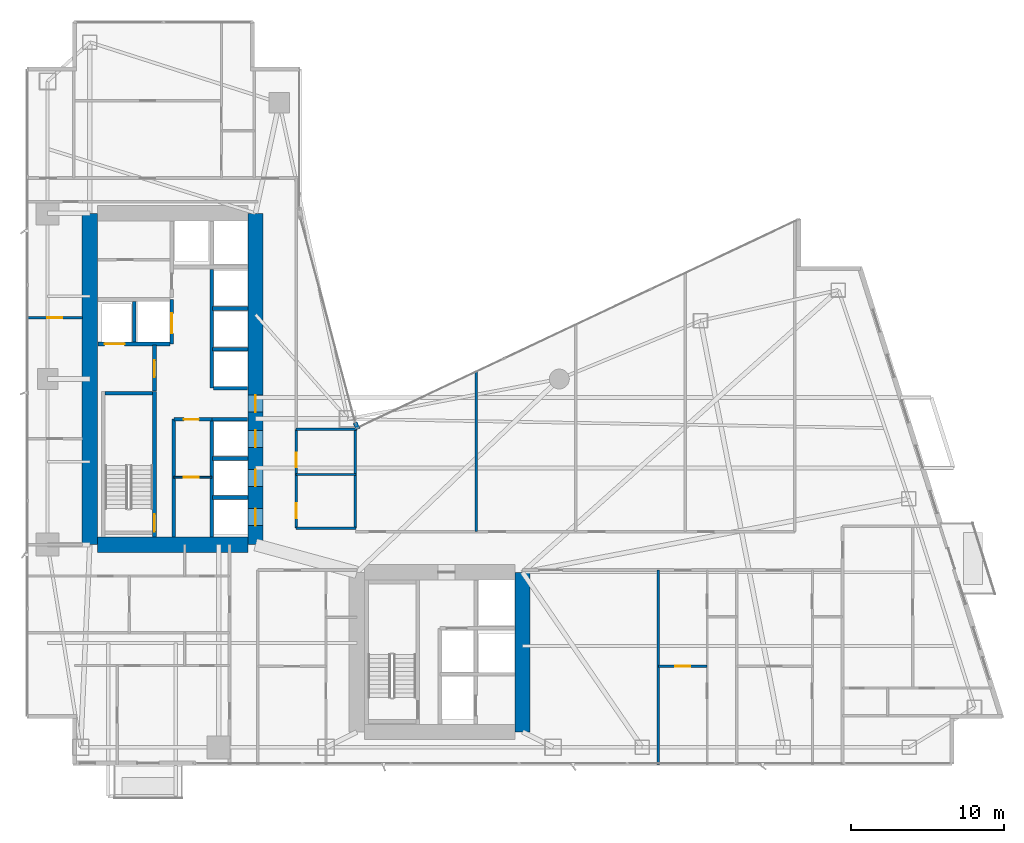
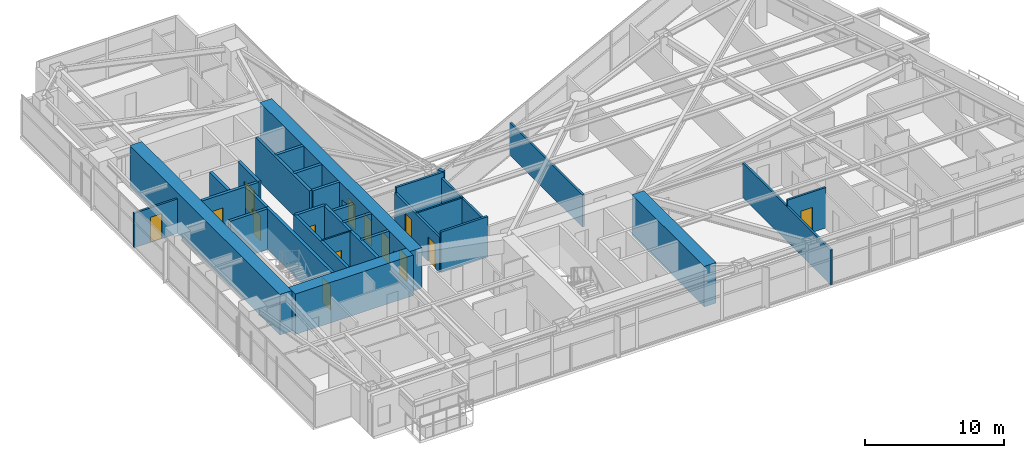
# One storey, part 23 of 29: 31 walls, 14 doors, 14 openings.
"""IFC4 building model written with IfcOpenShell, lengths in metres."""

from ifc_helpers import new_model, si_unit, direction, frame, frame_2d, origin, place, context, subcontext, project, spatial, rectangle, extrude, material, layer, layer_set, type_object, element, fill, save


model = new_model("IFC4")

# Units and contexts
model_context = context("Model", 3, precision=1e-05, world=origin(), true_north=direction((0.0, 1.0)))
body_context = subcontext(model_context, "Body", "Model", "MODEL_VIEW")
ifc_project = project(units=[si_unit("LENGTHUNIT", "METRE"), si_unit("AREAUNIT", "SQUARE_METRE"), si_unit("VOLUMEUNIT", "CUBIC_METRE"), si_unit("PLANEANGLEUNIT", "RADIAN"), si_unit("MASSUNIT", "GRAM", prefix="KILO")], contexts=[model_context])

# Site, building, storey
site_placement = place(None, origin())
site = spatial("IfcSite", under=ifc_project, at=site_placement, CompositionType="ELEMENT")
building_placement = place(site_placement, origin())
building = spatial("IfcBuilding", under=site, at=building_placement, Name="Calvorn Quay Hotel", CompositionType="ELEMENT")
storey_placement = place(building_placement, frame((0.0, 0.0, 85.0)))
storey = spatial("IfcBuildingStorey", under=building, at=storey_placement, Name="L20", CompositionType="ELEMENT", Elevation=85.0)

# Wall
ifc_material_1 = material(Name="Concrete C60", Category="concrete")
ifc_layer_1 = layer(ifc_material_1, 1.0)
ifc_layer_set_1 = layer_set([ifc_layer_1], Name="WL-CORE-1000")
wall_type_1 = type_object("IfcWallType", Name="WL-CORE-1000", PredefinedType="SHEAR", material=ifc_layer_set_1)
wall_1_placement = place(storey_placement, frame((4.199951171875, 16.800048828125, 0.0), z_axis=(0.0, 0.0, 1.0), x_axis=(0.0, 1.0, 0.0)))
element("IfcWall", 1, at=wall_1_placement, inside=storey, type_object=wall_type_1, Name="West Core Shear Wall W (L20)", PredefinedType="SHEAR", context=body_context, shape_type="SweptSolid", body=[
    extrude(rectangle(XDim=21.599853515625, YDim=1.0, at=frame_2d((10.7998046875, 0.0))), origin(), (0.0, 0.0, 1.0), 3.56005859375),
])

# Wall, openings, doors
wall_2_placement = place(storey_placement, frame((15.0, 16.800048828125, 0.0), z_axis=(0.0, 0.0, 1.0), x_axis=(0.0, 1.0, 0.0)))
wall_2 = element("IfcWall", 2, at=wall_2_placement, inside=storey, type_object=wall_type_1, Name="West Core Shear Wall E (L20)", PredefinedType="SHEAR", context=body_context, shape_type="SweptSolid", body=[
    extrude(rectangle(XDim=21.599853515625, YDim=1.0, at=frame_2d((10.7998046875, 0.0))), origin(), (0.0, 0.0, 1.0), 3.56005859375),
])
opening_1_placement = place(wall_2_placement, frame((8.64990234375, 0.0, 0.0)))
opening_1 = element("IfcOpeningElement", 3, at=opening_1_placement, cuts=wall_2, Name="Opening D-L20-CW1", PredefinedType="OPENING", context=body_context, shape_type="SweptSolid", body=[
    extrude(rectangle(XDim=1.10009765625, YDim=2.199951171875, at=frame_2d((0.550048828125, 1.10009765625))), frame((0.0, 0.510009765625, 0.0), z_axis=(0.0, -1.0, 0.0), x_axis=(1.0, 0.0, 0.0)), (0.0, 0.0, 1.0), 1.02001953125),
])
opening_2_placement = place(wall_2_placement, frame((1.25, 0.0, 0.0)))
opening_2 = element("IfcOpeningElement", 4, at=opening_2_placement, cuts=wall_2, Name="Opening LD-L20-L1", PredefinedType="OPENING", context=body_context, shape_type="SweptSolid", body=[
    extrude(rectangle(XDim=1.10009765625, YDim=2.199951171875, at=frame_2d((0.550048828125, 1.10009765625))), frame((0.0, 0.510009765625, 0.0), z_axis=(0.0, -1.0, 0.0), x_axis=(1.0, 0.0, 0.0)), (0.0, 0.0, 1.0), 1.02001953125),
])
opening_3_placement = place(wall_2_placement, frame((3.800048828125, 0.0, 0.0)))
opening_3 = element("IfcOpeningElement", 5, at=opening_3_placement, cuts=wall_2, Name="Opening LD-L20-L2", PredefinedType="OPENING", context=body_context, shape_type="SweptSolid", body=[
    extrude(rectangle(XDim=1.10009765625, YDim=2.199951171875, at=frame_2d((0.550048828125, 1.10009765625))), frame((0.0, 0.510009765625, 0.0), z_axis=(0.0, -1.0, 0.0), x_axis=(1.0, 0.0, 0.0)), (0.0, 0.0, 1.0), 1.02001953125),
])
opening_4_placement = place(wall_2_placement, frame((6.35009765625, 0.0, 0.0)))
opening_4 = element("IfcOpeningElement", 6, at=opening_4_placement, cuts=wall_2, Name="Opening LD-L20-L3", PredefinedType="OPENING", context=body_context, shape_type="SweptSolid", body=[
    extrude(rectangle(XDim=1.10009765625, YDim=2.199951171875, at=frame_2d((0.550048828125, 1.10009765625))), frame((0.0, 0.510009765625, 0.0), z_axis=(0.0, -1.0, 0.0), x_axis=(1.0, 0.0, 0.0)), (0.0, 0.0, 1.0), 1.02001953125),
])
ifc_material_2 = material(Name="Smoke-Sealed Steel Class A Fire Door", Category="steel")
door_type_1 = type_object("IfcDoorType", Name="DR-FFLOBBY-1100", OperationType="NOTDEFINED", PredefinedType="DOOR", material=ifc_material_2)
door_1_placement = place(opening_1_placement, origin())
door_1 = element("IfcDoor", 7, at=door_1_placement, inside=storey, type_object=door_type_1, Name="West Core Vestibule Fire Door (L20)", OperationType="SINGLE_SWING_LEFT", OverallHeight=2.199951171875, OverallWidth=1.10009765625, PredefinedType="DOOR", context=body_context, shape_type="SweptSolid", body=[
    extrude(rectangle(XDim=1.10009765625, YDim=2.199951171875, at=frame_2d((0.550048828125, 1.10009765625))), frame((0.0, 0.02490234375, 0.0), z_axis=(0.0, -1.0, 0.0), x_axis=(1.0, 0.0, 0.0)), (0.0, 0.0, 1.0), 0.050048828125),
])
fill(opening_1, door_1)
ifc_material_3 = material(Name="Brushed Stainless Steel Sliding Lift Landing Door", Category="steel")
door_type_2 = type_object("IfcDoorType", Name="DR-LIFT-PASS-1100", OperationType="NOTDEFINED", PredefinedType="DOOR", material=ifc_material_3)
door_2_placement = place(opening_2_placement, origin())
door_2 = element("IfcDoor", 8, at=door_2_placement, inside=storey, type_object=door_type_2, Name="Low-Rise Lift PL-L1 Landing Door (L20)", OperationType="DOUBLE_DOOR_SLIDING", OverallHeight=2.199951171875, OverallWidth=1.10009765625, PredefinedType="DOOR", context=body_context, shape_type="SweptSolid", body=[
    extrude(rectangle(XDim=1.10009765625, YDim=2.199951171875, at=frame_2d((0.550048828125, 1.10009765625))), frame((0.0, 0.02490234375, 0.0), z_axis=(0.0, -1.0, 0.0), x_axis=(1.0, 0.0, 0.0)), (0.0, 0.0, 1.0), 0.050048828125),
])
fill(opening_2, door_2)
door_3_placement = place(opening_3_placement, origin())
door_3 = element("IfcDoor", 9, at=door_3_placement, inside=storey, type_object=door_type_2, Name="Low-Rise Lift PL-L2 Landing Door (L20)", OperationType="DOUBLE_DOOR_SLIDING", OverallHeight=2.199951171875, OverallWidth=1.10009765625, PredefinedType="DOOR", context=body_context, shape_type="SweptSolid", body=[
    extrude(rectangle(XDim=1.10009765625, YDim=2.199951171875, at=frame_2d((0.550048828125, 1.10009765625))), frame((0.0, 0.02490234375, 0.0), z_axis=(0.0, -1.0, 0.0), x_axis=(1.0, 0.0, 0.0)), (0.0, 0.0, 1.0), 0.050048828125),
])
fill(opening_3, door_3)
door_4_placement = place(opening_4_placement, origin())
door_4 = element("IfcDoor", 10, at=door_4_placement, inside=storey, type_object=door_type_2, Name="Low-Rise Lift PL-L3 Landing Door (L20)", OperationType="DOUBLE_DOOR_SLIDING", OverallHeight=2.199951171875, OverallWidth=1.10009765625, PredefinedType="DOOR", context=body_context, shape_type="SweptSolid", body=[
    extrude(rectangle(XDim=1.10009765625, YDim=2.199951171875, at=frame_2d((0.550048828125, 1.10009765625))), frame((0.0, 0.02490234375, 0.0), z_axis=(0.0, -1.0, 0.0), x_axis=(1.0, 0.0, 0.0)), (0.0, 0.0, 1.0), 0.050048828125),
])
fill(opening_4, door_4)

# Walls
wall_3_placement = place(storey_placement, frame((4.699951171875, 16.800048828125, 0.0), z_axis=(0.0, 0.0, 1.0), x_axis=(1.0, 0.0, 0.0)))
element("IfcWall", 11, at=wall_3_placement, inside=storey, type_object=wall_type_1, Name="West Core Shear Wall S (L20)", PredefinedType="SHEAR", context=body_context, shape_type="SweptSolid", body=[
    extrude(rectangle(XDim=9.800048828125, YDim=1.0, at=frame_2d((4.89990234375, 0.0))), origin(), (0.0, 0.0, 1.0), 3.56005859375),
])
wall_4_placement = place(storey_placement, frame((32.39990234375, 4.60009765625, 0.0), z_axis=(0.0, 0.0, 1.0), x_axis=(0.0, 1.0, 0.0)))
element("IfcWall", 12, at=wall_4_placement, inside=storey, type_object=wall_type_1, Name="East Core Shear Wall E (L20)", PredefinedType="SHEAR", context=body_context, shape_type="SweptSolid", body=[
    extrude(rectangle(XDim=10.39990234375, YDim=1.0, at=frame_2d((5.199951171875, 0.0))), origin(), (0.0, 0.0, 1.0), 3.56005859375),
])
ifc_material_4 = material(Name="Acoustic Fireboard Steel-Stud Partition", Category="steel")
ifc_layer_2 = layer(ifc_material_4, 0.179931640625)
ifc_layer_set_2 = layer_set([ifc_layer_2], Name="WL-CORR-FIRE-180")
wall_type_2 = type_object("IfcWallType", Name="WL-CORR-FIRE-180", PredefinedType="PARTITIONING", material=ifc_layer_set_2)
wall_5_placement = place(storey_placement, frame((17.64990234375, 17.8798828125, 0.0), z_axis=(0.0, 0.0, 1.0), x_axis=(1.0, 0.0, 0.0)))
element("IfcWall", 13, at=wall_5_placement, inside=storey, type_object=wall_type_2, Name="Partition Wall L20-WL-HK-S", PredefinedType="PARTITIONING", context=body_context, shape_type="SweptSolid", body=[
    extrude(rectangle(XDim=3.900146484375, YDim=0.179931640625, at=frame_2d((1.9501953125, 0.0))), origin(), (0.0, 0.0, 1.0), 3.56005859375),
])
wall_6_placement = place(storey_placement, frame((17.64990234375, 24.320068359375, 0.0), z_axis=(0.0, 0.0, 1.0), x_axis=(1.0, 0.0, 0.0)))
element("IfcWall", 14, at=wall_6_placement, inside=storey, type_object=wall_type_2, Name="Partition Wall L20-WL-HK-N", PredefinedType="PARTITIONING", context=body_context, shape_type="SweptSolid", body=[
    extrude(rectangle(XDim=3.9501953125, YDim=0.179931640625, at=frame_2d((1.97509765625, 0.0))), origin(), (0.0, 0.0, 1.0), 3.56005859375),
])
wall_7_placement = place(storey_placement, frame((21.5, 17.8798828125, 0.0), z_axis=(0.0, 0.0, 1.0), x_axis=(0.0, 1.0, 0.0)))
element("IfcWall", 15, at=wall_7_placement, inside=storey, type_object=wall_type_2, Name="Partition Wall L20-WL-HK-E", PredefinedType="PARTITIONING", context=body_context, shape_type="SweptSolid", body=[
    extrude(rectangle(XDim=6.440185546875, YDim=0.179931640625, at=frame_2d((3.22021484375, 0.0))), origin(), (0.0, 0.0, 1.0), 3.090087890625),
])

# Wall, openings, doors
wall_8_placement = place(storey_placement, frame((17.64990234375, 17.8798828125, 0.0), z_axis=(0.0, 0.0, 1.0), x_axis=(0.0, 1.0, 0.0)))
wall_8 = element("IfcWall", 16, at=wall_8_placement, inside=storey, type_object=wall_type_2, Name="Partition Wall L20-WL-HK-W", PredefinedType="PARTITIONING", context=body_context, shape_type="SweptSolid", body=[
    extrude(rectangle(XDim=6.440185546875, YDim=0.179931640625, at=frame_2d((3.22021484375, 0.0))), origin(), (0.0, 0.0, 1.0), 3.090087890625),
])
opening_5_placement = place(wall_8_placement, frame((0.64990234375, 0.0, 0.0)))
opening_5 = element("IfcOpeningElement", 17, at=opening_5_placement, cuts=wall_8, Name="Opening D-L20-HK", PredefinedType="OPENING", context=body_context, shape_type="SweptSolid", body=[
    extrude(rectangle(XDim=0.97998046875, YDim=2.14990234375, at=frame_2d((0.489990234375, 1.074951171875))), frame((0.0, 0.099853515625, 0.0), z_axis=(0.0, -1.0, 0.0), x_axis=(1.0, 0.0, 0.0)), (0.0, 0.0, 1.0), 0.199951171875),
])
opening_6_placement = place(wall_8_placement, frame((3.969970703125, 0.0, 0.0)))
opening_6 = element("IfcOpeningElement", 18, at=opening_6_placement, cuts=wall_8, Name="Opening D-L20-NCP", PredefinedType="OPENING", context=body_context, shape_type="SweptSolid", body=[
    extrude(rectangle(XDim=0.9599609375, YDim=2.199951171875, at=frame_2d((0.47998046875, 1.10009765625))), frame((0.0, 0.099853515625, 0.0), z_axis=(0.0, -1.0, 0.0), x_axis=(1.0, 0.0, 0.0)), (0.0, 0.0, 1.0), 0.199951171875),
])
ifc_material_5 = material(Name="Painted Steel Housekeeping/Riser Fire Door", Category="steel")
door_type_3 = type_object("IfcDoorType", Name="DR-SERVICE-980", OperationType="NOTDEFINED", PredefinedType="DOOR", material=ifc_material_5)
door_5_placement = place(opening_5_placement, origin())
door_5 = element("IfcDoor", 19, at=door_5_placement, inside=storey, type_object=door_type_3, Name="Floor Housekeeping Door (L20)", OperationType="SINGLE_SWING_LEFT", OverallHeight=2.14990234375, OverallWidth=0.97998046875, PredefinedType="DOOR", context=body_context, shape_type="SweptSolid", body=[
    extrude(rectangle(XDim=0.97998046875, YDim=2.14990234375, at=frame_2d((0.489990234375, 1.074951171875))), frame((0.0, 0.02490234375, 0.0), z_axis=(0.0, -1.0, 0.0), x_axis=(1.0, 0.0, 0.0)), (0.0, 0.0, 1.0), 0.050048828125),
])
fill(opening_5, door_5)
ifc_material_6 = material(Name="Solid Timber Internal Suite Door", Category="wood")
door_type_4 = type_object("IfcDoorType", Name="DR-SUITE-INT-960", OperationType="NOTDEFINED", PredefinedType="DOOR", material=ifc_material_6)
door_6_placement = place(opening_6_placement, origin())
door_6 = element("IfcDoor", 20, at=door_6_placement, inside=storey, type_object=door_type_4, Name="Reading Alcove Door (L20)", OperationType="SINGLE_SWING_RIGHT", OverallHeight=2.199951171875, OverallWidth=0.9599609375, PredefinedType="DOOR", context=body_context, shape_type="SweptSolid", body=[
    extrude(rectangle(XDim=0.9599609375, YDim=2.199951171875, at=frame_2d((0.47998046875, 1.10009765625))), frame((0.0, 0.02490234375, 0.0), z_axis=(0.0, -1.0, 0.0), x_axis=(1.0, 0.0, 0.0)), (0.0, 0.0, 1.0), 0.050048828125),
])
fill(opening_6, door_6)

# Wall, opening, door
ifc_material_7 = material(Name="Moisture-Resistant Tile-Backed Partition")
ifc_layer_3 = layer(ifc_material_7, 0.125)
ifc_layer_set_3 = layer_set([ifc_layer_3], Name="WL-ENSUITE-125")
wall_type_3 = type_object("IfcWallType", Name="WL-ENSUITE-125", PredefinedType="PARTITIONING", material=ifc_layer_set_3)
wall_9_placement = place(storey_placement, frame((9.679931640625, 21.199951171875, 0.0), z_axis=(0.0, 0.0, 1.0), x_axis=(1.0, 0.0, 0.0)))
wall_9 = element("IfcWall", 21, at=wall_9_placement, inside=storey, type_object=wall_type_3, Name="Partition Wall L20-WL-CWW-SER-M", PredefinedType="PARTITIONING", context=body_context, shape_type="SweptSolid", body=[
    extrude(rectangle(XDim=2.469970703125, YDim=0.125, at=frame_2d((1.23486328125, 0.0))), origin(), (0.0, 0.0, 1.0), 3.56005859375),
])
opening_7_placement = place(wall_9_placement, frame((0.64990234375, 0.0, 0.0)))
opening_7 = element("IfcOpeningElement", 22, at=opening_7_placement, cuts=wall_9, Name="Opening D-L20-CSM", PredefinedType="OPENING", context=body_context, shape_type="SweptSolid", body=[
    extrude(rectangle(XDim=0.97998046875, YDim=2.14990234375, at=frame_2d((0.489990234375, 1.074951171875))), frame((0.0, 0.072509765625, 0.0), z_axis=(0.0, -1.0, 0.0), x_axis=(1.0, 0.0, 0.0)), (0.0, 0.0, 1.0), 0.14501953125),
])
door_7_placement = place(opening_7_placement, origin())
door_7 = element("IfcDoor", 23, at=door_7_placement, inside=storey, type_object=door_type_3, Name="Core Valet Pantry Door (L20)", OperationType="SINGLE_SWING_LEFT", OverallHeight=2.14990234375, OverallWidth=0.97998046875, PredefinedType="DOOR", context=body_context, shape_type="SweptSolid", body=[
    extrude(rectangle(XDim=0.97998046875, YDim=2.14990234375, at=frame_2d((0.489990234375, 1.074951171875))), frame((0.0, 0.02490234375, 0.0), z_axis=(0.0, -1.0, 0.0), x_axis=(1.0, 0.0, 0.0)), (0.0, 0.0, 1.0), 0.050048828125),
])
fill(opening_7, door_7)

# Walls
wall_10_placement = place(storey_placement, frame((17.64990234375, 21.3798828125, 0.0), z_axis=(0.0, 0.0, 1.0), x_axis=(1.0, 0.0, 0.0)))
element("IfcWall", 24, at=wall_10_placement, inside=storey, type_object=wall_type_3, Name="Partition Wall L20-WL-HK-M", PredefinedType="PARTITIONING", context=body_context, shape_type="SweptSolid", body=[
    extrude(rectangle(XDim=3.900146484375, YDim=0.125, at=frame_2d((1.9501953125, 0.0))), origin(), (0.0, 0.0, 1.0), 3.090087890625),
])
ifc_material_8 = material(Name="Concrete C40", Category="concrete")
ifc_layer_4 = layer(ifc_material_8, 0.320068359375)
ifc_layer_set_4 = layer_set([ifc_layer_4], Name="WL-EXT-SPANDREL-320")
wall_type_4 = type_object("IfcWallType", Name="WL-EXT-SPANDREL-320", PredefinedType="SOLIDWALL", material=ifc_layer_set_4)
wall_11_placement = place(storey_placement, frame((21.679931640625, 24.340087890625, 0.0), z_axis=(0.0, 0.0, 1.0), x_axis=(-0.40758134973, 0.913168901875, 0.0)))
element("IfcWall", 25, at=wall_11_placement, inside=storey, type_object=wall_type_4, Name="Inner Court Corner Pier L20-ICJ1", PredefinedType="SOLIDWALL", context=body_context, shape_type="SweptSolid", body=[
    extrude(rectangle(XDim=0.470703125, YDim=0.280029296875, at=frame_2d((0.2353515625, 0.0))), origin(), (0.0, 0.0, 1.0), 3.56005859375),
])

# Wall, opening, door
ifc_material_9 = material(Name="Double-Stud Acoustic Gypsum Partition")
ifc_layer_5 = layer(ifc_material_9, 0.159912109375)
ifc_layer_set_5 = layer_set([ifc_layer_5], Name="WL-INTERSUITE-160")
wall_type_5 = type_object("IfcWallType", Name="WL-INTERSUITE-160", PredefinedType="PARTITIONING", material=ifc_layer_set_5)
wall_12_placement = place(storey_placement, frame((0.080078125, 31.60009765625, 0.0), z_axis=(0.0, 0.0, 1.0), x_axis=(1.0, 0.0, 0.0)))
wall_12 = element("IfcWall", 26, at=wall_12_placement, inside=storey, type_object=wall_type_5, Name="Partition Wall L20-WL-WBAY-DIVB", PredefinedType="PARTITIONING", context=body_context, shape_type="SweptSolid", body=[
    extrude(rectangle(XDim=3.64990234375, YDim=0.159912109375, at=frame_2d((1.824951171875, 0.0))), origin(), (0.0, 0.0, 1.0), 3.0400390625),
])
opening_8_placement = place(wall_12_placement, frame((1.35009765625, 0.0, 0.0)))
opening_8 = element("IfcOpeningElement", 27, at=opening_8_placement, cuts=wall_12, Name="Opening D-L20-WBB", PredefinedType="OPENING", context=body_context, shape_type="SweptSolid", body=[
    extrude(rectangle(XDim=0.9599609375, YDim=2.199951171875, at=frame_2d((0.47998046875, 1.10009765625))), frame((0.0, 0.08984375, 0.0), z_axis=(0.0, -1.0, 0.0), x_axis=(1.0, 0.0, 0.0)), (0.0, 0.0, 1.0), 0.179931640625),
])
door_8_placement = place(opening_8_placement, origin())
door_8 = element("IfcDoor", 28, at=door_8_placement, inside=storey, type_object=door_type_4, Name="West North Connecting Door (L20)", OperationType="SINGLE_SWING_RIGHT", OverallHeight=2.199951171875, OverallWidth=0.9599609375, PredefinedType="DOOR", context=body_context, shape_type="SweptSolid", body=[
    extrude(rectangle(XDim=0.9599609375, YDim=2.199951171875, at=frame_2d((0.47998046875, 1.10009765625))), frame((0.0, 0.02490234375, 0.0), z_axis=(0.0, -1.0, 0.0), x_axis=(1.0, 0.0, 0.0)), (0.0, 0.0, 1.0), 0.050048828125),
])
fill(opening_8, door_8)

wall_13_placement = place(storey_placement, frame((41.25, 8.8798828125, 0.0), z_axis=(0.0, 0.0, 1.0), x_axis=(1.0, 0.0, 0.0)))
wall_13 = element("IfcWall", 29, at=wall_13_placement, inside=storey, type_object=wall_type_5, Name="Partition Wall L20-WL-U05-MSP", PredefinedType="PARTITIONING", context=body_context, shape_type="SweptSolid", body=[
    extrude(rectangle(XDim=3.18994140625, YDim=0.159912109375, at=frame_2d((1.594970703125, 0.0))), origin(), (0.0, 0.0, 1.0), 3.56005859375),
])
opening_9_placement = place(wall_13_placement, frame((1.110107421875, 0.0, 0.0)))
opening_9 = element("IfcOpeningElement", 30, at=opening_9_placement, cuts=wall_13, Name="Opening D-L20-M05", PredefinedType="OPENING", context=body_context, shape_type="SweptSolid", body=[
    extrude(rectangle(XDim=0.9599609375, YDim=2.199951171875, at=frame_2d((0.47998046875, 1.10009765625))), frame((0.0, 0.08984375, 0.0), z_axis=(0.0, -1.0, 0.0), x_axis=(1.0, 0.0, 0.0)), (0.0, 0.0, 1.0), 0.179931640625),
])
door_9_placement = place(opening_9_placement, origin())
door_9 = element("IfcDoor", 31, at=door_9_placement, inside=storey, type_object=door_type_4, Name="Suite Bedroom Door 05", OperationType="SINGLE_SWING_LEFT", OverallHeight=2.199951171875, OverallWidth=0.9599609375, PredefinedType="DOOR", context=body_context, shape_type="SweptSolid", body=[
    extrude(rectangle(XDim=0.9599609375, YDim=2.199951171875, at=frame_2d((0.47998046875, 1.10009765625))), frame((0.0, 0.02490234375, 0.0), z_axis=(0.0, -1.0, 0.0), x_axis=(1.0, 0.0, 0.0)), (0.0, 0.0, 1.0), 0.050048828125),
])
fill(opening_9, door_9)

# Walls
wall_14_placement = place(storey_placement, frame((41.25, 2.43994140625, 0.0), z_axis=(0.0, 0.0, 1.0), x_axis=(0.0, 1.0, 0.0)))
element("IfcWall", 32, at=wall_14_placement, inside=storey, type_object=wall_type_5, Name="Partition Wall L20-WL-SE-DIV-1", PredefinedType="PARTITIONING", context=body_context, shape_type="SweptSolid", body=[
    extrude(rectangle(XDim=12.7099609375, YDim=0.159912109375, at=frame_2d((6.35498046875, 0.0))), origin(), (0.0, 0.0, 1.0), 3.0400390625),
])
wall_15_placement = place(storey_placement, frame((29.389892578125, 17.64990234375, 0.0), z_axis=(0.0, 0.0, 1.0), x_axis=(0.0, 1.0, 0.0)))
element("IfcWall", 33, at=wall_15_placement, inside=storey, type_object=wall_type_5, Name="Partition Wall L20-WL-NE-DIV-1", PredefinedType="PARTITIONING", context=body_context, shape_type="SweptSolid", body=[
    extrude(rectangle(XDim=10.510009765625, YDim=0.159912109375, at=frame_2d((5.2548828125, 0.0))), origin(), (0.0, 0.0, 1.0), 2.840087890625),
])
ifc_material_10 = material(Name="Autoclaved Aerated Masonry Block", Category="masonry")
ifc_layer_6 = layer(ifc_material_10, 0.219970703125)
ifc_layer_set_6 = layer_set([ifc_layer_6], Name="WL-LOBBY-FIRE-220")
wall_type_6 = type_object("IfcWallType", Name="WL-LOBBY-FIRE-220", PredefinedType="SOLIDWALL", material=ifc_layer_set_6)
wall_16_placement = place(storey_placement, frame((9.679931640625, 17.320068359375, 0.0), z_axis=(0.0, 0.0, 1.0), x_axis=(0.0, 1.0, 0.0)))
element("IfcWall", 34, at=wall_16_placement, inside=storey, type_object=wall_type_6, Name="Partition Wall L20-WL-CWW-STW-HALL-E", PredefinedType="SOLIDWALL", context=body_context, shape_type="SweptSolid", body=[
    extrude(rectangle(XDim=7.679931640625, YDim=0.219970703125, at=frame_2d((3.83984375, 0.0))), origin(), (0.0, 0.0, 1.0), 3.56005859375),
])

# Wall, opening, door
ifc_material_11 = material(Name="Concrete C40", Category="concrete")
ifc_layer_7 = layer(ifc_material_11, 0.239990234375)
ifc_layer_set_7 = layer_set([ifc_layer_7], Name="WL-SHAFT-240")
wall_type_7 = type_object("IfcWallType", Name="WL-SHAFT-240", PredefinedType="SOLIDWALL", material=ifc_layer_set_7)
wall_17_placement = place(storey_placement, frame((8.419921875, 17.300048828125, 0.0), z_axis=(0.0, 0.0, 1.0), x_axis=(0.0, 1.0, 0.0)))
wall_17 = element("IfcWall", 35, at=wall_17_placement, inside=storey, type_object=wall_type_7, Name="Stair STW Shaft Wall E (L20)", PredefinedType="SOLIDWALL", context=body_context, shape_type="SweptSolid", body=[
    extrude(rectangle(XDim=9.489990234375, YDim=0.239990234375, at=frame_2d((4.7451171875, 0.0))), origin(), (0.0, 0.0, 1.0), 3.56005859375),
])
opening_10_placement = place(wall_17_placement, frame((0.35009765625, 0.0, 0.0)))
opening_10 = element("IfcOpeningElement", 36, at=opening_10_placement, cuts=wall_17, Name="Opening D-L20-STW", PredefinedType="OPENING", context=body_context, shape_type="SweptSolid", body=[
    extrude(rectangle(XDim=1.14990234375, YDim=2.199951171875, at=frame_2d((0.574951171875, 1.10009765625))), frame((0.0, 0.1298828125, 0.0), z_axis=(0.0, -1.0, 0.0), x_axis=(1.0, 0.0, 0.0)), (0.0, 0.0, 1.0), 0.260009765625),
])
ifc_material_12 = material(Name="Galvanised Steel Class A Fire Door", Category="steel")
door_type_5 = type_object("IfcDoorType", Name="DR-STAIR-SMOKE-1150", OperationType="NOTDEFINED", PredefinedType="DOOR", material=ifc_material_12)
door_10_placement = place(opening_10_placement, origin())
door_10 = element("IfcDoor", 37, at=door_10_placement, inside=storey, type_object=door_type_5, Name="Stair ST-W Fire Door (L20)", OperationType="SINGLE_SWING_LEFT", OverallHeight=2.199951171875, OverallWidth=1.14990234375, PredefinedType="DOOR", context=body_context, shape_type="SweptSolid", body=[
    extrude(rectangle(XDim=1.14990234375, YDim=2.199951171875, at=frame_2d((0.574951171875, 1.10009765625))), frame((0.0, 0.02490234375, 0.0), z_axis=(0.0, -1.0, 0.0), x_axis=(1.0, 0.0, 0.0)), (0.0, 0.0, 1.0), 0.050048828125),
])
fill(opening_10, door_10)

# Walls
wall_18_placement = place(storey_placement, frame((5.199951171875, 26.669921875, 0.0), z_axis=(0.0, 0.0, 1.0), x_axis=(1.0, 0.0, 0.0)))
element("IfcWall", 38, at=wall_18_placement, inside=storey, type_object=wall_type_7, Name="Stair STW Shaft Wall N (L20)", PredefinedType="SOLIDWALL", context=body_context, shape_type="SweptSolid", body=[
    extrude(rectangle(XDim=3.10009765625, YDim=0.239990234375, at=frame_2d((1.550048828125, 0.0))), origin(), (0.0, 0.0, 1.0), 3.56005859375),
])
for number, where, z_axis, x_axis, name in (
    (39, (12.179931640625, 19.875, 0.0), (0.0, 0.0, 1.0), (1.0, 0.0, 0.0), "Lift Hoistway Divider Wall PLL12 (L20)"),
    (40, (12.179931640625, 22.425048828125, 0.0), (0.0, 0.0, 1.0), (1.0, 0.0, 0.0), "Lift Hoistway Divider Wall PLL23 (L20)"),
    (41, (12.179931640625, 29.550048828125, 0.0), (0.0, 0.0, 1.0), (1.0, 0.0, 0.0), "Lift Hoistway Divider Wall PLM12 (L20)"),
    (42, (12.179931640625, 32.199951171875, 0.0), (0.0, 0.0, 1.0), (1.0, 0.0, 0.0), "Lift Hoistway Divider Wall PLM23 (L20)"),
):
    element("IfcWall", number, at=place(storey_placement, frame(where, z_axis=z_axis, x_axis=x_axis)), inside=storey, type_object=wall_type_7, Name=name, PredefinedType="SOLIDWALL", context=body_context, shape_type="SweptSolid", body=[
        extrude(rectangle(XDim=2.320068359375, YDim=0.239990234375, at=frame_2d((1.16015625, 0.0))), origin(), (0.0, 0.0, 1.0), 3.56005859375),
    ])

# Wall, opening, door
wall_19_placement = place(storey_placement, frame((8.419921875, 26.820068359375, 0.0), z_axis=(0.0, 0.0, 1.0), x_axis=(0.0, 1.0, 0.0)))
wall_19 = element("IfcWall", 43, at=wall_19_placement, inside=storey, type_object=wall_type_7, Name="Partition Wall L20-WL-CWW-FFL-E", PredefinedType="SOLIDWALL", context=body_context, shape_type="SweptSolid", body=[
    extrude(rectangle(XDim=3.0, YDim=0.239990234375, at=frame_2d((1.5, 0.0))), origin(), (0.0, 0.0, 1.0), 3.56005859375),
])
opening_11_placement = place(wall_19_placement, frame((0.89990234375, 0.0, 0.0)))
opening_11 = element("IfcOpeningElement", 44, at=opening_11_placement, cuts=wall_19, Name="Opening D-L20-FLW", PredefinedType="OPENING", context=body_context, shape_type="SweptSolid", body=[
    extrude(rectangle(XDim=1.10009765625, YDim=2.199951171875, at=frame_2d((0.550048828125, 1.10009765625))), frame((0.0, 0.1298828125, 0.0), z_axis=(0.0, -1.0, 0.0), x_axis=(1.0, 0.0, 0.0)), (0.0, 0.0, 1.0), 0.260009765625),
])
door_11_placement = place(opening_11_placement, origin())
door_11 = element("IfcDoor", 45, at=door_11_placement, inside=storey, type_object=door_type_1, Name="West Firefighting Lobby Fire Door (L20)", OperationType="SINGLE_SWING_RIGHT", OverallHeight=2.199951171875, OverallWidth=1.10009765625, PredefinedType="DOOR", context=body_context, shape_type="SweptSolid", body=[
    extrude(rectangle(XDim=1.10009765625, YDim=2.199951171875, at=frame_2d((0.550048828125, 1.10009765625))), frame((0.0, 0.02490234375, 0.0), z_axis=(0.0, -1.0, 0.0), x_axis=(1.0, 0.0, 0.0)), (0.0, 0.0, 1.0), 0.050048828125),
])
fill(opening_11, door_11)

wall_20_placement = place(storey_placement, frame((4.719970703125, 29.8798828125, 0.0), z_axis=(0.0, 0.0, 1.0), x_axis=(1.0, 0.0, 0.0)))
wall_20 = element("IfcWall", 46, at=wall_20_placement, inside=storey, type_object=wall_type_7, Name="Partition Wall L20-WL-CWW-FLW-S", PredefinedType="SOLIDWALL", context=body_context, shape_type="SweptSolid", body=[
    extrude(rectangle(XDim=4.699951171875, YDim=0.239990234375, at=frame_2d((2.35009765625, 0.0))), origin(), (0.0, 0.0, 1.0), 3.56005859375),
])
opening_12_placement = place(wall_20_placement, frame((0.449951171875, 0.0, 0.0)))
opening_12 = element("IfcOpeningElement", 47, at=opening_12_placement, cuts=wall_20, Name="Opening LD-L20-FLW1", PredefinedType="OPENING", context=body_context, shape_type="SweptSolid", body=[
    extrude(rectangle(XDim=1.300048828125, YDim=2.35009765625, at=frame_2d((0.64990234375, 1.175048828125))), frame((0.0, 0.1298828125, 0.0), z_axis=(0.0, -1.0, 0.0), x_axis=(1.0, 0.0, 0.0)), (0.0, 0.0, 1.0), 0.260009765625),
])
ifc_material_13 = material(Name="Champagne-Bronze Sliding Express Lift Landing Door")
door_type_6 = type_object("IfcDoorType", Name="DR-LIFT-SHUTTLE-1300", OperationType="NOTDEFINED", PredefinedType="DOOR", material=ifc_material_13)
door_12_placement = place(opening_12_placement, origin())
door_12 = element("IfcDoor", 48, at=door_12_placement, inside=storey, type_object=door_type_6, Name="Firefighting Lift FL-W1 Landing Door (L20)", OperationType="DOUBLE_DOOR_SLIDING", OverallHeight=2.35009765625, OverallWidth=1.300048828125, PredefinedType="DOOR", context=body_context, shape_type="SweptSolid", body=[
    extrude(rectangle(XDim=1.300048828125, YDim=2.35009765625, at=frame_2d((0.64990234375, 1.175048828125))), frame((0.0, 0.02490234375, 0.0), z_axis=(0.0, -1.0, 0.0), x_axis=(1.0, 0.0, 0.0)), (0.0, 0.0, 1.0), 0.050048828125),
])
fill(opening_12, door_12)

# Wall
wall_21_placement = place(storey_placement, frame((7.10009765625, 30.02001953125, 0.0), z_axis=(0.0, 0.0, 1.0), x_axis=(0.0, 1.0, 0.0)))
element("IfcWall", 49, at=wall_21_placement, inside=storey, type_object=wall_type_7, Name="Partition Wall L20-WL-CWW-FLW-DIV", PredefinedType="SOLIDWALL", context=body_context, shape_type="SweptSolid", body=[
    extrude(rectangle(XDim=2.6298828125, YDim=0.239990234375, at=frame_2d((1.31494140625, 0.0))), origin(), (0.0, 0.0, 1.0), 3.56005859375),
])

# Wall, opening, door
wall_22_placement = place(storey_placement, frame((9.5400390625, 29.8798828125, 0.0), z_axis=(0.0, 0.0, 1.0), x_axis=(0.0, 1.0, 0.0)))
wall_22 = element("IfcWall", 50, at=wall_22_placement, inside=storey, type_object=wall_type_7, Name="Partition Wall L20-WL-CWW-SLW-E", PredefinedType="SOLIDWALL", context=body_context, shape_type="SweptSolid", body=[
    extrude(rectangle(XDim=2.900146484375, YDim=0.239990234375, at=frame_2d((1.4501953125, 0.0))), origin(), (0.0, 0.0, 1.0), 3.56005859375),
])
opening_13_placement = place(wall_22_placement, frame((0.699951171875, 0.0, 0.0)))
opening_13 = element("IfcOpeningElement", 51, at=opening_13_placement, cuts=wall_22, Name="Opening LD-L20-SLW1", PredefinedType="OPENING", context=body_context, shape_type="SweptSolid", body=[
    extrude(rectangle(XDim=1.300048828125, YDim=2.35009765625, at=frame_2d((0.64990234375, 1.175048828125))), frame((0.0, 0.1298828125, 0.0), z_axis=(0.0, -1.0, 0.0), x_axis=(1.0, 0.0, 0.0)), (0.0, 0.0, 1.0), 0.260009765625),
])
door_13_placement = place(opening_13_placement, origin())
door_13 = element("IfcDoor", 52, at=door_13_placement, inside=storey, type_object=door_type_6, Name="Service Lift SL-W1 Landing Door (L20)", OperationType="DOUBLE_DOOR_SLIDING", OverallHeight=2.35009765625, OverallWidth=1.300048828125, PredefinedType="DOOR", context=body_context, shape_type="SweptSolid", body=[
    extrude(rectangle(XDim=1.300048828125, YDim=2.35009765625, at=frame_2d((0.64990234375, 1.175048828125))), frame((0.0, 0.02490234375, 0.0), z_axis=(0.0, -1.0, 0.0), x_axis=(1.0, 0.0, 0.0)), (0.0, 0.0, 1.0), 0.050048828125),
])
fill(opening_13, door_13)

# Wall
wall_23_placement = place(storey_placement, frame((12.14990234375, 17.320068359375, 0.0), z_axis=(0.0, 0.0, 1.0), x_axis=(0.0, 1.0, 0.0)))
element("IfcWall", 53, at=wall_23_placement, inside=storey, type_object=wall_type_7, Name="Partition Wall L20-WL-CWW-PLL-W", PredefinedType="SOLIDWALL", context=body_context, shape_type="SweptSolid", body=[
    extrude(rectangle(XDim=7.64990234375, YDim=0.239990234375, at=frame_2d((3.824951171875, 0.0))), origin(), (0.0, 0.0, 1.0), 3.56005859375),
])

# Wall, opening, door
wall_24_placement = place(storey_placement, frame((9.679931640625, 24.969970703125, 0.0), z_axis=(0.0, 0.0, 1.0), x_axis=(1.0, 0.0, 0.0)))
wall_24 = element("IfcWall", 54, at=wall_24_placement, inside=storey, type_object=wall_type_7, Name="Partition Wall L20-WL-CWW-SER-N", PredefinedType="SOLIDWALL", context=body_context, shape_type="SweptSolid", body=[
    extrude(rectangle(XDim=2.469970703125, YDim=0.239990234375, at=frame_2d((1.23486328125, 0.0))), origin(), (0.0, 0.0, 1.0), 3.56005859375),
])
opening_14_placement = place(wall_24_placement, frame((0.64990234375, 0.0, 0.0)))
opening_14 = element("IfcOpeningElement", 55, at=opening_14_placement, cuts=wall_24, Name="Opening D-L20-CSR", PredefinedType="OPENING", context=body_context, shape_type="SweptSolid", body=[
    extrude(rectangle(XDim=0.97998046875, YDim=2.14990234375, at=frame_2d((0.489990234375, 1.074951171875))), frame((0.0, 0.1298828125, 0.0), z_axis=(0.0, -1.0, 0.0), x_axis=(1.0, 0.0, 0.0)), (0.0, 0.0, 1.0), 0.260009765625),
])
door_14_placement = place(opening_14_placement, origin())
door_14 = element("IfcDoor", 56, at=door_14_placement, inside=storey, type_object=door_type_3, Name="Core Service Closet Door (L20)", OperationType="SINGLE_SWING_LEFT", OverallHeight=2.14990234375, OverallWidth=0.97998046875, PredefinedType="DOOR", context=body_context, shape_type="SweptSolid", body=[
    extrude(rectangle(XDim=0.97998046875, YDim=2.14990234375, at=frame_2d((0.489990234375, 1.074951171875))), frame((0.0, 0.02490234375, 0.0), z_axis=(0.0, -1.0, 0.0), x_axis=(1.0, 0.0, 0.0)), (0.0, 0.0, 1.0), 0.050048828125),
])
fill(opening_14, door_14)

# Walls
wall_25_placement = place(storey_placement, frame((12.14990234375, 24.969970703125, 0.0), z_axis=(0.0, 0.0, 1.0), x_axis=(1.0, 0.0, 0.0)))
element("IfcWall", 57, at=wall_25_placement, inside=storey, type_object=wall_type_7, Name="Partition Wall L20-WL-CWW-PLL-SHN", PredefinedType="SOLIDWALL", context=body_context, shape_type="SweptSolid", body=[
    extrude(rectangle(XDim=2.330078125, YDim=0.239990234375, at=frame_2d((1.1650390625, 0.0))), origin(), (0.0, 0.0, 1.0), 2.840087890625),
])
wall_26_placement = place(storey_placement, frame((12.25, 27.0, 0.0), z_axis=(0.0, 0.0, 1.0), x_axis=(1.0, 0.0, 0.0)))
element("IfcWall", 58, at=wall_26_placement, inside=storey, type_object=wall_type_7, Name="Partition Wall L20-WL-CWW-PLM-S", PredefinedType="SOLIDWALL", context=body_context, shape_type="SweptSolid", body=[
    extrude(rectangle(XDim=2.22998046875, YDim=0.239990234375, at=frame_2d((1.114990234375, 0.0))), origin(), (0.0, 0.0, 1.0), 3.56005859375),
])
wall_27_placement = place(storey_placement, frame((12.14990234375, 27.0, 0.0), z_axis=(0.0, 0.0, 1.0), x_axis=(0.0, 1.0, 0.0)))
element("IfcWall", 59, at=wall_27_placement, inside=storey, type_object=wall_type_7, Name="Partition Wall L20-WL-CWW-PLM-W", PredefinedType="SOLIDWALL", context=body_context, shape_type="SweptSolid", body=[
    extrude(rectangle(XDim=7.75, YDim=0.239990234375, at=frame_2d((3.875, 0.0))), origin(), (0.0, 0.0, 1.0), 3.56005859375),
])

save(model, "model.ifc")
